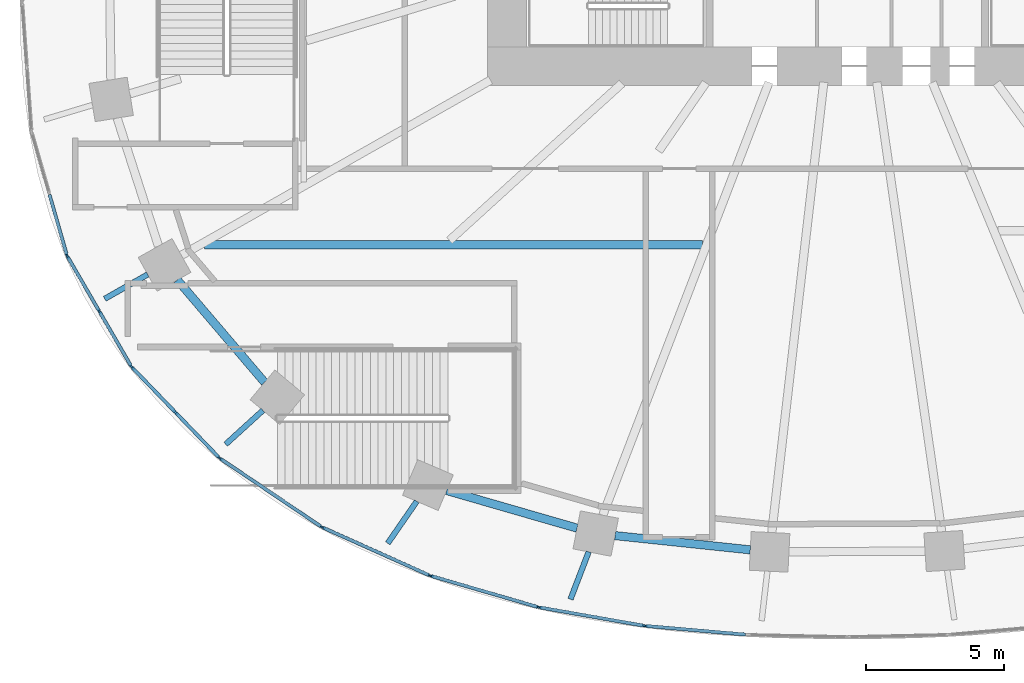
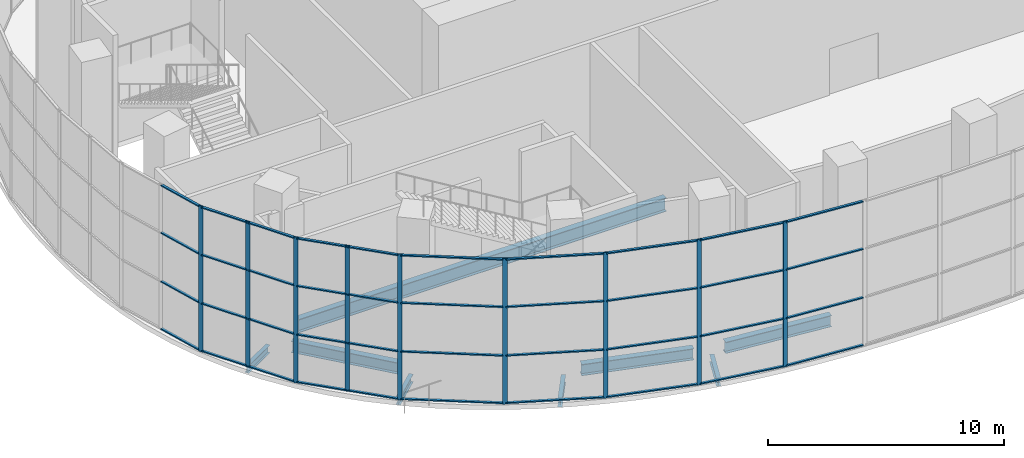
# One storey, part 2 of 22: 49 members, 8 beams, 8 elements without a shape of their own.
"""IFC4 building model written with IfcOpenShell, lengths in metres."""

import ifcopenshell
import ifcopenshell.guid

model = None  # the IFC model being written
_history = None  # IfcOwnerHistory: only IFC2X3 demands one
_inside = {}  # id of a spatial element -> (the spatial element, [elements in it])
_under = {}  # id of a project, library or spatial element -> (it, [spatial elements below it])
_declared = {}  # id of a project -> (the project, [libraries it declares])
_typed = {}  # id of a type object -> (the type object, [elements of that type])
_made_of = {}  # id of a material, layer set ... -> (it, [elements and type objects made of it])


def new_model(schema):
    """Start an empty IFC model of exactly this schema.

    Asked for "IFC4X3", IfcOpenShell would pick the latest addendum, in which some entities
    have other attributes; the version numbers below select the first issue.
    IFC2X3 requires an IfcOwnerHistory on every rooted entity: one is made here for all.
    """
    global model, _history
    if schema == "IFC4X3":
        model = ifcopenshell.file(schema_version=(4, 3, 0, 0))
    else:
        model = ifcopenshell.file(schema=schema)
    _inside.clear()
    _under.clear()
    _declared.clear()
    _typed.clear()
    _made_of.clear()
    _history = None
    if model.schema == "IFC2X3":
        org = make("IfcOrganization", Name="unknown")
        user = make(
            "IfcPersonAndOrganization",
            ThePerson=make("IfcPerson", FamilyName="unknown"),
            TheOrganization=org,
        )
        app = make(
            "IfcApplication",
            ApplicationDeveloper=org,
            Version="unknown",
            ApplicationFullName="unknown",
            ApplicationIdentifier="unknown",
        )
        _history = make(
            "IfcOwnerHistory",
            OwningUser=user,
            OwningApplication=app,
            ChangeAction="ADDED",
            CreationDate=0,
        )
    return model


def make(cls, **values):
    """One entity of the class cls with the attributes given. An attribute that is None is left unset."""
    return model.create_entity(
        cls, **{name: value for name, value in values.items() if value is not None}
    )


def rooted(cls, **values):
    """An entity with a GlobalId (a new one), such as an element, a storey or a relation."""
    return make(cls, GlobalId=ifcopenshell.guid.new(), OwnerHistory=_history, **values)


def si_unit(unit_type, name, prefix=None):
    """IfcSIUnit, for example si_unit("LENGTHUNIT", "METRE", prefix="MILLI")."""
    return make("IfcSIUnit", UnitType=unit_type, Prefix=prefix, Name=name)


def assignment(units):
    """IfcUnitAssignment: the units of a project."""
    return None if units is None else make("IfcUnitAssignment", Units=units)


def point(xyz):
    """IfcCartesianPoint."""
    return None if xyz is None else make("IfcCartesianPoint", Coordinates=xyz)


def direction(xyz):
    """IfcDirection."""
    return None if xyz is None else make("IfcDirection", DirectionRatios=xyz)


def frame(location, z_axis=None, x_axis=None):
    """IfcAxis2Placement3D, a coordinate frame: its origin and axes. An axis left out is left unset."""
    return make(
        "IfcAxis2Placement3D",
        Location=point(location),
        Axis=direction(z_axis),
        RefDirection=direction(x_axis),
    )


def frame_2d(location, x_axis=None):
    """IfcAxis2Placement2D, a coordinate frame in the plane: its origin and x axis."""
    return make(
        "IfcAxis2Placement2D", Location=point(location), RefDirection=direction(x_axis)
    )


def origin():
    """The frame at (0, 0, 0) with its axes left unset."""
    return frame((0.0, 0.0, 0.0))


def origin_2d():
    """The frame at (0, 0) in the plane with its x axis left unset."""
    return frame_2d((0.0, 0.0))


def place(relative_to, where):
    """IfcLocalPlacement: puts the frame where relative to a parent placement (None: the world)."""
    return make(
        "IfcLocalPlacement", PlacementRelTo=relative_to, RelativePlacement=where
    )


def context(
    kind, dimensions, precision=None, world=None, true_north=None, identifier=None
):
    """IfcGeometricRepresentationContext, for example the 3D "Model" context."""
    return make(
        "IfcGeometricRepresentationContext",
        ContextIdentifier=identifier,
        ContextType=kind,
        CoordinateSpaceDimension=dimensions,
        Precision=precision,
        WorldCoordinateSystem=world,
        TrueNorth=true_north,
    )


def subcontext(parent, identifier, kind, view, scale=None):
    """IfcGeometricRepresentationSubContext, for example "Body" below "Model"."""
    return make(
        "IfcGeometricRepresentationSubContext",
        ContextIdentifier=identifier,
        ContextType=kind,
        ParentContext=parent,
        TargetScale=scale,
        TargetView=view,
    )


def project(units=None, contexts=None):
    """IfcProject with its units and contexts."""
    return rooted(
        "IfcProject",
        Name="project",
        RepresentationContexts=contexts,
        UnitsInContext=assignment(units),
    )


def spatial(cls, under=None, at=None, **own):
    """A site, building, storey or space (cls), placed at a placement, below another one or the project."""
    s = rooted(cls, ObjectPlacement=at, **own)
    if under is not None:
        _under.setdefault(under.id(), (under, []))[1].append(s)
    return s


def profile(cls, at=None, kind="AREA", **sizes):
    """A parametric profile (cls). Its sizes go by their IFC names, for example OverallWidth=200.0."""
    return make(cls, ProfileType=kind, Position=at, **sizes)


def rectangle(**sizes):
    """IfcRectangleProfileDef."""
    return profile("IfcRectangleProfileDef", **sizes)


def i_section(**sizes):
    """IfcIShapeProfileDef."""
    return profile("IfcIShapeProfileDef", **sizes)


def extrude(swept, where, along, depth):
    """IfcExtrudedAreaSolid: the profile swept, set in the frame where, extruded along a direction by depth."""
    return make(
        "IfcExtrudedAreaSolid",
        SweptArea=swept,
        Position=where,
        ExtrudedDirection=direction(along),
        Depth=depth,
    )


def shape(context_of_items, identifier, shape_type, items):
    """IfcShapeRepresentation: the items that make up one representation, for example the "Body"."""
    return make(
        "IfcShapeRepresentation",
        ContextOfItems=context_of_items,
        RepresentationIdentifier=identifier,
        RepresentationType=shape_type,
        Items=items,
    )


def material(Name=None, Category=None):
    """IfcMaterial."""
    return make("IfcMaterial", Name=Name, Category=Category)


def material_profile(
    of_material, cross_section, Name=None, Category=None, Priority=None
):
    """IfcMaterialProfile: a cross section and its material."""
    return make(
        "IfcMaterialProfile",
        Name=Name,
        Material=of_material,
        Profile=cross_section,
        Priority=Priority,
        Category=Category,
    )


def profile_set(profiles, Name=None, composite=None):
    """IfcMaterialProfileSet."""
    return make(
        "IfcMaterialProfileSet",
        Name=Name,
        MaterialProfiles=profiles,
        CompositeProfile=composite,
    )


def made_of(thing, what):
    """Note that an element or type object is made of a material, layer set ...; save() writes the relation."""
    if what is not None:
        _made_of.setdefault(what.id(), (what, []))[1].append(thing)
    return thing


def type_object(cls, material=None, **own):
    """A type object (cls), such as IfcWallType, which elements share."""
    return made_of(rooted(cls, **own), material)


def element(
    cls,
    number,
    at=None,
    inside=None,
    cuts=None,
    type_object=None,
    material=None,
    context=None,
    identifier="Body",
    shape_type=None,
    held_by="IfcProductDefinitionShape",
    body=None,
    shapes=None,
    **own,
):
    """One element of the class cls, such as IfcWall. Its Tag is "e" and its number.

    at: its placement. inside: the storey or other place that contains it. cuts: it is an
    opening in that element (IfcRelVoidsElement). A single representation is given by context,
    identifier, shape_type and body (its items); several are given by shapes. held_by: the class
    of the entity that holds the representations. save() writes the other relations.
    """
    e = rooted(cls, Tag="e%d" % number, ObjectPlacement=at, **own)
    if body is not None:
        shapes = [shape(context, identifier, shape_type, body)]
    if shapes is not None:
        e.Representation = make(held_by, Representations=shapes)
    if inside is not None:
        _inside.setdefault(inside.id(), (inside, []))[1].append(e)
    if cuts is not None:
        rooted(
            "IfcRelVoidsElement", RelatingBuildingElement=cuts, RelatedOpeningElement=e
        )
    if type_object is not None:
        _typed.setdefault(type_object.id(), (type_object, []))[1].append(e)
    return made_of(e, material)


def aggregate(whole, parts):
    """IfcRelAggregates: a whole, such as a stair, and the parts it consists of."""
    return rooted("IfcRelAggregates", RelatingObject=whole, RelatedObjects=parts)


def save(model, path):
    """Write the relations noted so far, then the file.

    IfcRelAggregates (storeys below a building ...), IfcRelContainedInSpatialStructure (elements
    in a storey), IfcRelDefinesByType, IfcRelAssociatesMaterial and IfcRelDeclares: one each for
    every whole, place, type object, material and project.
    """
    for whole, parts in _under.values():
        aggregate(whole, parts)
    for where, things in _inside.values():
        rooted(
            "IfcRelContainedInSpatialStructure",
            RelatedElements=things,
            RelatingStructure=where,
        )
    for kind, things in _typed.values():
        rooted("IfcRelDefinesByType", RelatedObjects=things, RelatingType=kind)
    for what, things in _made_of.values():
        rooted("IfcRelAssociatesMaterial", RelatedObjects=things, RelatingMaterial=what)
    for by, libraries in _declared.values():
        rooted("IfcRelDeclares", RelatingContext=by, RelatedDefinitions=libraries)
    model.write(path)


model = new_model("IFC4")

# Units and contexts
model_context = context("Model", 3, precision=1e-05, world=origin(), true_north=direction((0.0, 1.0)))
body_context = subcontext(model_context, "Body", "Model", "MODEL_VIEW")
ifc_project = project(units=[si_unit("LENGTHUNIT", "METRE"), si_unit("AREAUNIT", "SQUARE_METRE"), si_unit("VOLUMEUNIT", "CUBIC_METRE"), si_unit("PLANEANGLEUNIT", "RADIAN"), si_unit("MASSUNIT", "GRAM", prefix="KILO")], contexts=[model_context])

# Site, building, storey
site_placement = place(None, origin())
site = spatial("IfcSite", under=ifc_project, at=site_placement, CompositionType="ELEMENT")
building_placement = place(site_placement, origin())
building = spatial("IfcBuilding", under=site, at=building_placement, Name="Rubra Terraces Tower", CompositionType="ELEMENT")
storey_placement = place(building_placement, frame((0.0, 0.0, 7.199951171875)))
storey = spatial("IfcBuildingStorey", under=building, at=storey_placement, Name="L01", CompositionType="ELEMENT", Elevation=7.199951171875)

# Beams
ifc_material_1 = material(Name="Steel Q355B", Category="steel")
ifc_material_profile_1 = material_profile(ifc_material_1, i_section(OverallWidth=0.199951171875, OverallDepth=0.39990234375, WebThickness=0.008056640625, FlangeThickness=0.012939453125, at=origin_2d()), Name="HN 400x200x8x13")
ifc_profile_set_1 = profile_set([ifc_material_profile_1], Name="Steel Q355B")
beam_type_1 = type_object("IfcBeamType", Name="CANTILEVER BEAM HN 400x200x8x13", PredefinedType="BEAM", material=ifc_profile_set_1)
beam_1_placement = place(storey_placement, frame((-25.284912109375, -9.827880859375, -0.449951171875), z_axis=(-0.86992838688, -0.493178062873, 0.0), x_axis=(0.493178062873, -0.86992838688, 0.0)))
element("IfcBeam", 1, at=beam_1_placement, inside=storey, type_object=beam_type_1, Name="beam-L01-cant-14", PredefinedType="BEAM", context=body_context, shape_type="SweptSolid", body=[
    extrude(i_section(OverallWidth=0.199951171875, OverallDepth=0.39990234375, WebThickness=0.008056640625, FlangeThickness=0.012939453125, at=origin_2d()), origin(), (0.0, 0.0, 1.0), 1.78662109375),
])
beam_2_placement = place(storey_placement, frame((-21.1220703125, -14.741943359375, -0.449951171875), z_axis=(-0.739575224106, -0.673073909677, 0.0), x_axis=(0.673073909677, -0.739575224106, 0.0)))
element("IfcBeam", 2, at=beam_2_placement, inside=storey, type_object=beam_type_1, Name="beam-L01-cant-15", PredefinedType="BEAM", context=body_context, shape_type="SweptSolid", body=[
    extrude(i_section(OverallWidth=0.199951171875, OverallDepth=0.39990234375, WebThickness=0.008056640625, FlangeThickness=0.012939453125, at=origin_2d()), origin(), (0.0, 0.0, 1.0), 1.817138671875),
])
beam_3_placement = place(storey_placement, frame((-15.56298828125, -18.029052734375, -0.449951171875), z_axis=(-0.568402477444, -0.822750644871, 0.0), x_axis=(0.822750644871, -0.568402477444, 0.0)))
element("IfcBeam", 3, at=beam_3_placement, inside=storey, type_object=beam_type_1, Name="beam-L01-cant-16", PredefinedType="BEAM", context=body_context, shape_type="SweptSolid", body=[
    extrude(i_section(OverallWidth=0.199951171875, OverallDepth=0.39990234375, WebThickness=0.008056640625, FlangeThickness=0.012939453125, at=origin_2d()), origin(), (0.0, 0.0, 1.0), 1.840087890625),
])
beam_4_placement = place(storey_placement, frame((-9.34912109375, -19.85498046875, -0.449951171875), z_axis=(-0.358291983639, -0.93360958353, 0.0), x_axis=(0.93360958353, -0.358291983639, 0.0)))
element("IfcBeam", 4, at=beam_4_placement, inside=storey, type_object=beam_type_1, Name="beam-L01-cant-17", PredefinedType="BEAM", context=body_context, shape_type="SweptSolid", body=[
    extrude(i_section(OverallWidth=0.199951171875, OverallDepth=0.39990234375, WebThickness=0.008056640625, FlangeThickness=0.012939453125, at=origin_2d()), origin(), (0.0, 0.0, 1.0), 1.833740234375),
])

# Curtain wall, members
ifc_material_2 = material(Name="Aluminium and glass", Category="aluminium")
curtain_wall_type = type_object("IfcCurtainWallType", Name="Curtain wall Podium glazing", PredefinedType="NOTDEFINED", material=ifc_material_2)
curtain_wall_1_placement = place(storey_placement, origin())
curtain_wall_1 = element("IfcCurtainWall", 5, at=curtain_wall_1_placement, inside=storey, type_object=curtain_wall_type, Name="L01 glazing bay 23", PredefinedType="NOTDEFINED")
ifc_material_3 = material(Name="Aluminium, anodised dark grey", Category="aluminium")
ifc_material_profile_2 = material_profile(ifc_material_3, rectangle(XDim=0.06005859375, YDim=0.199951171875, at=origin_2d()), Name="AL 60x200")
ifc_profile_set_2 = profile_set([ifc_material_profile_2], Name="Aluminium, anodised dark grey")
member_type_1 = type_object("IfcMemberType", Name="Podium glazing mullion 60 x 200", PredefinedType="MULLION", material=ifc_profile_set_2)
member_1_placement = place(storey_placement, frame((-28.18798828125, -9.17333984375, 0.0), z_axis=(0.0, 0.0, 1.0), x_axis=(0.864813011398, 0.502094070187, 0.0)))
member_1 = element("IfcMember", 6, at=member_1_placement, type_object=member_type_1, Name="CW1 mullion 1", PredefinedType="MULLION", context=body_context, shape_type="SweptSolid", body=[
    extrude(rectangle(XDim=0.06005859375, YDim=0.199951171875, at=origin_2d()), origin(), (0.0, 0.0, 1.0), 7.550048828125),
])
member_2_placement = place(storey_placement, frame((-27.0341796875, -11.160888671875, 0.0), z_axis=(0.0, 0.0, 1.0), x_axis=(0.864813011398, 0.502094070187, 0.0)))
member_2 = element("IfcMember", 7, at=member_2_placement, type_object=member_type_1, Name="CW1 mullion 2", PredefinedType="MULLION", context=body_context, shape_type="SweptSolid", body=[
    extrude(rectangle(XDim=0.06005859375, YDim=0.199951171875, at=origin_2d()), origin(), (0.0, 0.0, 1.0), 7.550048828125),
])

curtain_wall_2_placement = place(storey_placement, origin())
curtain_wall_2 = element("IfcCurtainWall", 8, at=curtain_wall_2_placement, inside=storey, type_object=curtain_wall_type, Name="L01 glazing bay 24", PredefinedType="NOTDEFINED")
member_3_placement = place(storey_placement, frame((-25.855224609375, -13.181396484375, 0.0), z_axis=(0.0, 0.0, 1.0), x_axis=(0.71982488517, 0.69415569917, 0.0)))
member_3 = element("IfcMember", 9, at=member_3_placement, type_object=member_type_1, Name="CW1 mullion 1", PredefinedType="MULLION", context=body_context, shape_type="SweptSolid", body=[
    extrude(rectangle(XDim=0.06005859375, YDim=0.199951171875, at=origin_2d()), origin(), (0.0, 0.0, 1.0), 7.550048828125),
])
member_4_placement = place(storey_placement, frame((-24.280517578125, -14.814453125, 0.0), z_axis=(0.0, 0.0, 1.0), x_axis=(0.71982488517, 0.69415569917, 0.0)))
member_4 = element("IfcMember", 10, at=member_4_placement, type_object=member_type_1, Name="CW1 mullion 2", PredefinedType="MULLION", context=body_context, shape_type="SweptSolid", body=[
    extrude(rectangle(XDim=0.06005859375, YDim=0.199951171875, at=origin_2d()), origin(), (0.0, 0.0, 1.0), 7.550048828125),
])

# Curtain wall, member
curtain_wall_3_placement = place(storey_placement, origin())
curtain_wall_3 = element("IfcCurtainWall", 11, at=curtain_wall_3_placement, inside=storey, type_object=curtain_wall_type, Name="L01 glazing bay 25", PredefinedType="NOTDEFINED")
member_5_placement = place(storey_placement, frame((-22.672119140625, -16.4755859375, 0.0), z_axis=(0.0, 0.0, 1.0), x_axis=(0.55927727939, 0.828980654031, 0.0)))
member_5 = element("IfcMember", 12, at=member_5_placement, type_object=member_type_1, Name="CW1 mullion 1", PredefinedType="MULLION", context=body_context, shape_type="SweptSolid", body=[
    extrude(rectangle(XDim=0.06005859375, YDim=0.199951171875, at=origin_2d()), origin(), (0.0, 0.0, 1.0), 7.550048828125),
])

curtain_wall_4_placement = place(storey_placement, origin())
curtain_wall_4 = element("IfcCurtainWall", 13, at=curtain_wall_4_placement, inside=storey, type_object=curtain_wall_type, Name="L01 glazing bay 26", PredefinedType="NOTDEFINED")
member_6_placement = place(storey_placement, frame((-18.968017578125, -18.969970703125, 0.0), z_axis=(0.0, 0.0, 1.0), x_axis=(0.4089624427, 0.912551215254, 0.0)))
member_6 = element("IfcMember", 14, at=member_6_placement, type_object=member_type_1, Name="CW1 mullion 1", PredefinedType="MULLION", context=body_context, shape_type="SweptSolid", body=[
    extrude(rectangle(XDim=0.06005859375, YDim=0.199951171875, at=origin_2d()), origin(), (0.0, 0.0, 1.0), 7.550048828125),
])

curtain_wall_5_placement = place(storey_placement, origin())
curtain_wall_5 = element("IfcCurtainWall", 15, at=curtain_wall_5_placement, inside=storey, type_object=curtain_wall_type, Name="L01 glazing bay 27", PredefinedType="NOTDEFINED")
member_7_placement = place(storey_placement, frame((-15.05126953125, -20.721435546875, 0.0), z_axis=(0.0, 0.0, 1.0), x_axis=(0.279399200229, 0.96017502931, 0.0)))
member_7 = element("IfcMember", 16, at=member_7_placement, type_object=member_type_1, Name="CW1 mullion 1", PredefinedType="MULLION", context=body_context, shape_type="SweptSolid", body=[
    extrude(rectangle(XDim=0.06005859375, YDim=0.199951171875, at=origin_2d()), origin(), (0.0, 0.0, 1.0), 7.550048828125),
])

curtain_wall_6_placement = place(storey_placement, origin())
curtain_wall_6 = element("IfcCurtainWall", 17, at=curtain_wall_6_placement, inside=storey, type_object=curtain_wall_type, Name="L01 glazing bay 28", PredefinedType="NOTDEFINED")
member_8_placement = place(storey_placement, frame((-11.13037109375, -21.859375, 0.0), z_axis=(0.0, 0.0, 1.0), x_axis=(0.172816985997, 0.984953952909, 0.0)))
member_8 = element("IfcMember", 18, at=member_8_placement, type_object=member_type_1, Name="CW1 mullion 1", PredefinedType="MULLION", context=body_context, shape_type="SweptSolid", body=[
    extrude(rectangle(XDim=0.06005859375, YDim=0.199951171875, at=origin_2d()), origin(), (0.0, 0.0, 1.0), 7.550048828125),
])

curtain_wall_7_placement = place(storey_placement, origin())
curtain_wall_7 = element("IfcCurtainWall", 19, at=curtain_wall_7_placement, inside=storey, type_object=curtain_wall_type, Name="L01 glazing bay 29", PredefinedType="NOTDEFINED")
member_9_placement = place(storey_placement, frame((-7.306640625, -22.52783203125, 0.0), z_axis=(0.0, 0.0, 1.0), x_axis=(0.08639804595, 0.996260697637, 0.0)))
member_9 = element("IfcMember", 20, at=member_9_placement, type_object=member_type_1, Name="CW1 mullion 1", PredefinedType="MULLION", context=body_context, shape_type="SweptSolid", body=[
    extrude(rectangle(XDim=0.06005859375, YDim=0.199951171875, at=origin_2d()), origin(), (0.0, 0.0, 1.0), 7.550048828125),
])

# Curtain wall, members
curtain_wall_8_placement = place(storey_placement, origin())
curtain_wall_8 = element("IfcCurtainWall", 21, at=curtain_wall_8_placement, inside=storey, type_object=curtain_wall_type, Name="L01 glazing bay 22", PredefinedType="NOTDEFINED")
ifc_material_profile_3 = material_profile(ifc_material_3, rectangle(XDim=0.1201171875, YDim=0.06005859375, at=origin_2d()), Name="AL 120x60")
ifc_profile_set_3 = profile_set([ifc_material_profile_3], Name="Aluminium, anodised dark grey")
member_type_2 = type_object("IfcMemberType", Name="Podium glazing transom 120 x 60", PredefinedType="USERDEFINED", material=ifc_profile_set_3)
member_10_placement = place(storey_placement, frame((-28.835205078125, -6.941650390625, 0.06005859375), z_axis=(0.276452561882, -0.961027565177, 0.0), x_axis=(0.961027565177, 0.276452561882, 0.0)))
member_10 = element("IfcMember", 22, at=member_10_placement, type_object=member_type_2, Name="CW1 transom 2.1", ObjectType="TRANSOM", PredefinedType="USERDEFINED", context=body_context, shape_type="SweptSolid", body=[
    extrude(rectangle(XDim=0.1201171875, YDim=0.06005859375, at=origin_2d()), origin(), (0.0, 0.0, 1.0), 2.2529296875),
])
member_11_placement = place(storey_placement, frame((-28.835205078125, -6.941650390625, 2.516845703125), z_axis=(0.276452561882, -0.961027565177, 0.0), x_axis=(0.961027565177, 0.276452561882, 0.0)))
member_11 = element("IfcMember", 23, at=member_11_placement, type_object=member_type_2, Name="CW1 transom 2.2", ObjectType="TRANSOM", PredefinedType="USERDEFINED", context=body_context, shape_type="SweptSolid", body=[
    extrude(rectangle(XDim=0.1201171875, YDim=0.06005859375, at=origin_2d()), origin(), (0.0, 0.0, 1.0), 2.2529296875),
])
member_12_placement = place(storey_placement, frame((-28.835205078125, -6.941650390625, 5.033447265625), z_axis=(0.276452561882, -0.961027565177, 0.0), x_axis=(0.961027565177, 0.276452561882, 0.0)))
member_12 = element("IfcMember", 24, at=member_12_placement, type_object=member_type_2, Name="CW1 transom 2.3", ObjectType="TRANSOM", PredefinedType="USERDEFINED", context=body_context, shape_type="SweptSolid", body=[
    extrude(rectangle(XDim=0.1201171875, YDim=0.06005859375, at=origin_2d()), origin(), (0.0, 0.0, 1.0), 2.2529296875),
])
member_13_placement = place(storey_placement, frame((-28.835205078125, -6.941650390625, 7.489990234375), z_axis=(0.276452561882, -0.961027565177, 0.0), x_axis=(0.961027565177, 0.276452561882, 0.0)))
member_13 = element("IfcMember", 25, at=member_13_placement, type_object=member_type_2, Name="CW1 transom 2.4", ObjectType="TRANSOM", PredefinedType="USERDEFINED", context=body_context, shape_type="SweptSolid", body=[
    extrude(rectangle(XDim=0.1201171875, YDim=0.06005859375, at=origin_2d()), origin(), (0.0, 0.0, 1.0), 2.2529296875),
])
aggregate(curtain_wall_8, [member_10, member_11, member_12, member_13])

# Member
member_14_placement = place(storey_placement, frame((-28.173095703125, -9.19921875, 0.06005859375), z_axis=(0.5021881448, -0.864758386616, 0.0), x_axis=(0.864758386616, 0.5021881448, 0.0)))
member_14 = element("IfcMember", 26, at=member_14_placement, type_object=member_type_2, Name="CW1 transom 1.1", ObjectType="TRANSOM", PredefinedType="USERDEFINED", context=body_context, shape_type="SweptSolid", body=[
    extrude(rectangle(XDim=0.1201171875, YDim=0.06005859375, at=origin_2d()), origin(), (0.0, 0.0, 1.0), 2.23828125),
])

member_15_placement = place(storey_placement, frame((-28.173095703125, -9.19921875, 2.516845703125), z_axis=(0.5021881448, -0.864758386616, 0.0), x_axis=(0.864758386616, 0.5021881448, 0.0)))
member_15 = element("IfcMember", 27, at=member_15_placement, type_object=member_type_2, Name="CW1 transom 1.2", ObjectType="TRANSOM", PredefinedType="USERDEFINED", context=body_context, shape_type="SweptSolid", body=[
    extrude(rectangle(XDim=0.1201171875, YDim=0.06005859375, at=origin_2d()), origin(), (0.0, 0.0, 1.0), 2.23828125),
])

member_16_placement = place(storey_placement, frame((-28.173095703125, -9.19921875, 5.033447265625), z_axis=(0.5021881448, -0.864758386616, 0.0), x_axis=(0.864758386616, 0.5021881448, 0.0)))
member_16 = element("IfcMember", 28, at=member_16_placement, type_object=member_type_2, Name="CW1 transom 1.3", ObjectType="TRANSOM", PredefinedType="USERDEFINED", context=body_context, shape_type="SweptSolid", body=[
    extrude(rectangle(XDim=0.1201171875, YDim=0.06005859375, at=origin_2d()), origin(), (0.0, 0.0, 1.0), 2.23828125),
])

member_17_placement = place(storey_placement, frame((-28.173095703125, -9.19921875, 7.489990234375), z_axis=(0.5021881448, -0.864758386616, 0.0), x_axis=(0.864758386616, 0.5021881448, 0.0)))
member_17 = element("IfcMember", 29, at=member_17_placement, type_object=member_type_2, Name="CW1 transom 1.4", ObjectType="TRANSOM", PredefinedType="USERDEFINED", context=body_context, shape_type="SweptSolid", body=[
    extrude(rectangle(XDim=0.1201171875, YDim=0.06005859375, at=origin_2d()), origin(), (0.0, 0.0, 1.0), 2.23828125),
])

member_18_placement = place(storey_placement, frame((-27.01904296875, -11.186767578125, 0.06005859375), z_axis=(0.502106569931, -0.864805754162, 0.0), x_axis=(0.864805754162, 0.502106569931, 0.0)))
member_18 = element("IfcMember", 30, at=member_18_placement, type_object=member_type_2, Name="CW1 transom 2.1", ObjectType="TRANSOM", PredefinedType="USERDEFINED", context=body_context, shape_type="SweptSolid", body=[
    extrude(rectangle(XDim=0.1201171875, YDim=0.06005859375, at=origin_2d()), origin(), (0.0, 0.0, 1.0), 2.238037109375),
])

member_19_placement = place(storey_placement, frame((-27.01904296875, -11.186767578125, 2.516845703125), z_axis=(0.502106569931, -0.864805754162, 0.0), x_axis=(0.864805754162, 0.502106569931, 0.0)))
member_19 = element("IfcMember", 31, at=member_19_placement, type_object=member_type_2, Name="CW1 transom 2.2", ObjectType="TRANSOM", PredefinedType="USERDEFINED", context=body_context, shape_type="SweptSolid", body=[
    extrude(rectangle(XDim=0.1201171875, YDim=0.06005859375, at=origin_2d()), origin(), (0.0, 0.0, 1.0), 2.238037109375),
])

member_20_placement = place(storey_placement, frame((-27.01904296875, -11.186767578125, 5.033447265625), z_axis=(0.502106569931, -0.864805754162, 0.0), x_axis=(0.864805754162, 0.502106569931, 0.0)))
member_20 = element("IfcMember", 32, at=member_20_placement, type_object=member_type_2, Name="CW1 transom 2.3", ObjectType="TRANSOM", PredefinedType="USERDEFINED", context=body_context, shape_type="SweptSolid", body=[
    extrude(rectangle(XDim=0.1201171875, YDim=0.06005859375, at=origin_2d()), origin(), (0.0, 0.0, 1.0), 2.238037109375),
])

member_21_placement = place(storey_placement, frame((-27.01904296875, -11.186767578125, 7.489990234375), z_axis=(0.502106569931, -0.864805754162, 0.0), x_axis=(0.864805754162, 0.502106569931, 0.0)))
member_21 = element("IfcMember", 33, at=member_21_placement, type_object=member_type_2, Name="CW1 transom 2.4", ObjectType="TRANSOM", PredefinedType="USERDEFINED", context=body_context, shape_type="SweptSolid", body=[
    extrude(rectangle(XDim=0.1201171875, YDim=0.06005859375, at=origin_2d()), origin(), (0.0, 0.0, 1.0), 2.238037109375),
])

aggregate(curtain_wall_1, [member_1, member_2, member_14, member_15, member_16, member_17, member_18, member_19, member_20, member_21])

member_22_placement = place(storey_placement, frame((-25.83447265625, -13.203125, 0.06005859375), z_axis=(0.694223533913, -0.719759463266, 0.0), x_axis=(0.719759463266, 0.694223533913, 0.0)))
member_22 = element("IfcMember", 34, at=member_22_placement, type_object=member_type_2, Name="CW1 transom 1.1", ObjectType="TRANSOM", PredefinedType="USERDEFINED", context=body_context, shape_type="SweptSolid", body=[
    extrude(rectangle(XDim=0.1201171875, YDim=0.06005859375, at=origin_2d()), origin(), (0.0, 0.0, 1.0), 2.20849609375),
])

member_23_placement = place(storey_placement, frame((-25.83447265625, -13.203125, 2.516845703125), z_axis=(0.694223533913, -0.719759463266, 0.0), x_axis=(0.719759463266, 0.694223533913, 0.0)))
member_23 = element("IfcMember", 35, at=member_23_placement, type_object=member_type_2, Name="CW1 transom 1.2", ObjectType="TRANSOM", PredefinedType="USERDEFINED", context=body_context, shape_type="SweptSolid", body=[
    extrude(rectangle(XDim=0.1201171875, YDim=0.06005859375, at=origin_2d()), origin(), (0.0, 0.0, 1.0), 2.20849609375),
])

member_24_placement = place(storey_placement, frame((-25.83447265625, -13.203125, 5.033447265625), z_axis=(0.694223533913, -0.719759463266, 0.0), x_axis=(0.719759463266, 0.694223533913, 0.0)))
member_24 = element("IfcMember", 36, at=member_24_placement, type_object=member_type_2, Name="CW1 transom 1.3", ObjectType="TRANSOM", PredefinedType="USERDEFINED", context=body_context, shape_type="SweptSolid", body=[
    extrude(rectangle(XDim=0.1201171875, YDim=0.06005859375, at=origin_2d()), origin(), (0.0, 0.0, 1.0), 2.20849609375),
])

member_25_placement = place(storey_placement, frame((-25.83447265625, -13.203125, 7.489990234375), z_axis=(0.694223533913, -0.719759463266, 0.0), x_axis=(0.719759463266, 0.694223533913, 0.0)))
member_25 = element("IfcMember", 37, at=member_25_placement, type_object=member_type_2, Name="CW1 transom 1.4", ObjectType="TRANSOM", PredefinedType="USERDEFINED", context=body_context, shape_type="SweptSolid", body=[
    extrude(rectangle(XDim=0.1201171875, YDim=0.06005859375, at=origin_2d()), origin(), (0.0, 0.0, 1.0), 2.20849609375),
])

member_26_placement = place(storey_placement, frame((-24.259765625, -14.8359375, 0.06005859375), z_axis=(0.694168299732, -0.719812733735, 0.0), x_axis=(0.719812733735, 0.694168299732, 0.0)))
member_26 = element("IfcMember", 38, at=member_26_placement, type_object=member_type_2, Name="CW1 transom 2.1", ObjectType="TRANSOM", PredefinedType="USERDEFINED", context=body_context, shape_type="SweptSolid", body=[
    extrude(rectangle(XDim=0.1201171875, YDim=0.06005859375, at=origin_2d()), origin(), (0.0, 0.0, 1.0), 2.208740234375),
])

member_27_placement = place(storey_placement, frame((-24.259765625, -14.8359375, 2.516845703125), z_axis=(0.694168299732, -0.719812733735, 0.0), x_axis=(0.719812733735, 0.694168299732, 0.0)))
member_27 = element("IfcMember", 39, at=member_27_placement, type_object=member_type_2, Name="CW1 transom 2.2", ObjectType="TRANSOM", PredefinedType="USERDEFINED", context=body_context, shape_type="SweptSolid", body=[
    extrude(rectangle(XDim=0.1201171875, YDim=0.06005859375, at=origin_2d()), origin(), (0.0, 0.0, 1.0), 2.208740234375),
])

member_28_placement = place(storey_placement, frame((-24.259765625, -14.8359375, 5.033447265625), z_axis=(0.694168299732, -0.719812733735, 0.0), x_axis=(0.719812733735, 0.694168299732, 0.0)))
member_28 = element("IfcMember", 40, at=member_28_placement, type_object=member_type_2, Name="CW1 transom 2.3", ObjectType="TRANSOM", PredefinedType="USERDEFINED", context=body_context, shape_type="SweptSolid", body=[
    extrude(rectangle(XDim=0.1201171875, YDim=0.06005859375, at=origin_2d()), origin(), (0.0, 0.0, 1.0), 2.208740234375),
])

member_29_placement = place(storey_placement, frame((-24.259765625, -14.8359375, 7.489990234375), z_axis=(0.694168299732, -0.719812733735, 0.0), x_axis=(0.719812733735, 0.694168299732, 0.0)))
member_29 = element("IfcMember", 41, at=member_29_placement, type_object=member_type_2, Name="CW1 transom 2.4", ObjectType="TRANSOM", PredefinedType="USERDEFINED", context=body_context, shape_type="SweptSolid", body=[
    extrude(rectangle(XDim=0.1201171875, YDim=0.06005859375, at=origin_2d()), origin(), (0.0, 0.0, 1.0), 2.208740234375),
])

aggregate(curtain_wall_2, [member_3, member_4, member_22, member_23, member_24, member_25, member_26, member_27, member_28, member_29])

member_30_placement = place(storey_placement, frame((-22.6474609375, -16.492431640625, 0.06005859375), z_axis=(0.828996039897, -0.559254473236, 0.0), x_axis=(0.559254473236, 0.828996039897, 0.0)))
member_30 = element("IfcMember", 42, at=member_30_placement, type_object=member_type_2, Name="CW1 transom 1.1", ObjectType="TRANSOM", PredefinedType="USERDEFINED", context=body_context, shape_type="SweptSolid", body=[
    extrude(rectangle(XDim=0.1201171875, YDim=0.06005859375, at=origin_2d()), origin(), (0.0, 0.0, 1.0), 4.35888671875),
])

member_31_placement = place(storey_placement, frame((-22.6474609375, -16.492431640625, 2.516845703125), z_axis=(0.828996039897, -0.559254473236, 0.0), x_axis=(0.559254473236, 0.828996039897, 0.0)))
member_31 = element("IfcMember", 43, at=member_31_placement, type_object=member_type_2, Name="CW1 transom 1.2", ObjectType="TRANSOM", PredefinedType="USERDEFINED", context=body_context, shape_type="SweptSolid", body=[
    extrude(rectangle(XDim=0.1201171875, YDim=0.06005859375, at=origin_2d()), origin(), (0.0, 0.0, 1.0), 4.35888671875),
])

member_32_placement = place(storey_placement, frame((-22.6474609375, -16.492431640625, 5.033447265625), z_axis=(0.828996039897, -0.559254473236, 0.0), x_axis=(0.559254473236, 0.828996039897, 0.0)))
member_32 = element("IfcMember", 44, at=member_32_placement, type_object=member_type_2, Name="CW1 transom 1.3", ObjectType="TRANSOM", PredefinedType="USERDEFINED", context=body_context, shape_type="SweptSolid", body=[
    extrude(rectangle(XDim=0.1201171875, YDim=0.06005859375, at=origin_2d()), origin(), (0.0, 0.0, 1.0), 4.35888671875),
])

member_33_placement = place(storey_placement, frame((-22.6474609375, -16.492431640625, 7.489990234375), z_axis=(0.828996039897, -0.559254473236, 0.0), x_axis=(0.559254473236, 0.828996039897, 0.0)))
member_33 = element("IfcMember", 45, at=member_33_placement, type_object=member_type_2, Name="CW1 transom 1.4", ObjectType="TRANSOM", PredefinedType="USERDEFINED", context=body_context, shape_type="SweptSolid", body=[
    extrude(rectangle(XDim=0.1201171875, YDim=0.06005859375, at=origin_2d()), origin(), (0.0, 0.0, 1.0), 4.35888671875),
])

aggregate(curtain_wall_3, [member_5, member_30, member_31, member_32, member_33])

member_34_placement = place(storey_placement, frame((-18.9404296875, -18.982177734375, 0.06005859375), z_axis=(0.912545396627, -0.408975426029, 0.0), x_axis=(0.408975426029, 0.912545396627, 0.0)))
member_34 = element("IfcMember", 46, at=member_34_placement, type_object=member_type_2, Name="CW1 transom 1.1", ObjectType="TRANSOM", PredefinedType="USERDEFINED", context=body_context, shape_type="SweptSolid", body=[
    extrude(rectangle(XDim=0.1201171875, YDim=0.06005859375, at=origin_2d()), origin(), (0.0, 0.0, 1.0), 4.18115234375),
])

member_35_placement = place(storey_placement, frame((-18.9404296875, -18.982177734375, 2.516845703125), z_axis=(0.912545396627, -0.408975426029, 0.0), x_axis=(0.408975426029, 0.912545396627, 0.0)))
member_35 = element("IfcMember", 47, at=member_35_placement, type_object=member_type_2, Name="CW1 transom 1.2", ObjectType="TRANSOM", PredefinedType="USERDEFINED", context=body_context, shape_type="SweptSolid", body=[
    extrude(rectangle(XDim=0.1201171875, YDim=0.06005859375, at=origin_2d()), origin(), (0.0, 0.0, 1.0), 4.18115234375),
])

member_36_placement = place(storey_placement, frame((-18.9404296875, -18.982177734375, 5.033447265625), z_axis=(0.912545396627, -0.408975426029, 0.0), x_axis=(0.408975426029, 0.912545396627, 0.0)))
member_36 = element("IfcMember", 48, at=member_36_placement, type_object=member_type_2, Name="CW1 transom 1.3", ObjectType="TRANSOM", PredefinedType="USERDEFINED", context=body_context, shape_type="SweptSolid", body=[
    extrude(rectangle(XDim=0.1201171875, YDim=0.06005859375, at=origin_2d()), origin(), (0.0, 0.0, 1.0), 4.18115234375),
])

member_37_placement = place(storey_placement, frame((-18.9404296875, -18.982177734375, 7.489990234375), z_axis=(0.912545396627, -0.408975426029, 0.0), x_axis=(0.408975426029, 0.912545396627, 0.0)))
member_37 = element("IfcMember", 49, at=member_37_placement, type_object=member_type_2, Name="CW1 transom 1.4", ObjectType="TRANSOM", PredefinedType="USERDEFINED", context=body_context, shape_type="SweptSolid", body=[
    extrude(rectangle(XDim=0.1201171875, YDim=0.06005859375, at=origin_2d()), origin(), (0.0, 0.0, 1.0), 4.18115234375),
])

aggregate(curtain_wall_4, [member_6, member_34, member_35, member_36, member_37])

member_38_placement = place(storey_placement, frame((-15.0224609375, -20.729736328125, 0.06005859375), z_axis=(0.960164409194, -0.279435694422, 0.0), x_axis=(0.279435694422, 0.960164409194, 0.0)))
member_38 = element("IfcMember", 50, at=member_38_placement, type_object=member_type_2, Name="CW1 transom 1.1", ObjectType="TRANSOM", PredefinedType="USERDEFINED", context=body_context, shape_type="SweptSolid", body=[
    extrude(rectangle(XDim=0.1201171875, YDim=0.06005859375, at=origin_2d()), origin(), (0.0, 0.0, 1.0), 3.970947265625),
])

member_39_placement = place(storey_placement, frame((-15.0224609375, -20.729736328125, 2.516845703125), z_axis=(0.960164409194, -0.279435694422, 0.0), x_axis=(0.279435694422, 0.960164409194, 0.0)))
member_39 = element("IfcMember", 51, at=member_39_placement, type_object=member_type_2, Name="CW1 transom 1.2", ObjectType="TRANSOM", PredefinedType="USERDEFINED", context=body_context, shape_type="SweptSolid", body=[
    extrude(rectangle(XDim=0.1201171875, YDim=0.06005859375, at=origin_2d()), origin(), (0.0, 0.0, 1.0), 3.970947265625),
])

member_40_placement = place(storey_placement, frame((-15.0224609375, -20.729736328125, 5.033447265625), z_axis=(0.960164409194, -0.279435694422, 0.0), x_axis=(0.279435694422, 0.960164409194, 0.0)))
member_40 = element("IfcMember", 52, at=member_40_placement, type_object=member_type_2, Name="CW1 transom 1.3", ObjectType="TRANSOM", PredefinedType="USERDEFINED", context=body_context, shape_type="SweptSolid", body=[
    extrude(rectangle(XDim=0.1201171875, YDim=0.06005859375, at=origin_2d()), origin(), (0.0, 0.0, 1.0), 3.970947265625),
])

member_41_placement = place(storey_placement, frame((-15.0224609375, -20.729736328125, 7.489990234375), z_axis=(0.960164409194, -0.279435694422, 0.0), x_axis=(0.279435694422, 0.960164409194, 0.0)))
member_41 = element("IfcMember", 53, at=member_41_placement, type_object=member_type_2, Name="CW1 transom 1.4", ObjectType="TRANSOM", PredefinedType="USERDEFINED", context=body_context, shape_type="SweptSolid", body=[
    extrude(rectangle(XDim=0.1201171875, YDim=0.06005859375, at=origin_2d()), origin(), (0.0, 0.0, 1.0), 3.970947265625),
])

aggregate(curtain_wall_5, [member_7, member_38, member_39, member_40, member_41])

member_42_placement = place(storey_placement, frame((-11.100830078125, -21.864501953125, 0.06005859375), z_axis=(0.984959152546, -0.172787348539, 0.0), x_axis=(0.172787348539, 0.984959152546, 0.0)))
member_42 = element("IfcMember", 54, at=member_42_placement, type_object=member_type_2, Name="CW1 transom 1.1", ObjectType="TRANSOM", PredefinedType="USERDEFINED", context=body_context, shape_type="SweptSolid", body=[
    extrude(rectangle(XDim=0.1201171875, YDim=0.06005859375, at=origin_2d()), origin(), (0.0, 0.0, 1.0), 3.768310546875),
])

member_43_placement = place(storey_placement, frame((-11.100830078125, -21.864501953125, 2.516845703125), z_axis=(0.984959152546, -0.172787348539, 0.0), x_axis=(0.172787348539, 0.984959152546, 0.0)))
member_43 = element("IfcMember", 55, at=member_43_placement, type_object=member_type_2, Name="CW1 transom 1.2", ObjectType="TRANSOM", PredefinedType="USERDEFINED", context=body_context, shape_type="SweptSolid", body=[
    extrude(rectangle(XDim=0.1201171875, YDim=0.06005859375, at=origin_2d()), origin(), (0.0, 0.0, 1.0), 3.768310546875),
])

member_44_placement = place(storey_placement, frame((-11.100830078125, -21.864501953125, 5.033447265625), z_axis=(0.984959152546, -0.172787348539, 0.0), x_axis=(0.172787348539, 0.984959152546, 0.0)))
member_44 = element("IfcMember", 56, at=member_44_placement, type_object=member_type_2, Name="CW1 transom 1.3", ObjectType="TRANSOM", PredefinedType="USERDEFINED", context=body_context, shape_type="SweptSolid", body=[
    extrude(rectangle(XDim=0.1201171875, YDim=0.06005859375, at=origin_2d()), origin(), (0.0, 0.0, 1.0), 3.768310546875),
])

member_45_placement = place(storey_placement, frame((-11.100830078125, -21.864501953125, 7.489990234375), z_axis=(0.984959152546, -0.172787348539, 0.0), x_axis=(0.172787348539, 0.984959152546, 0.0)))
member_45 = element("IfcMember", 57, at=member_45_placement, type_object=member_type_2, Name="CW1 transom 1.4", ObjectType="TRANSOM", PredefinedType="USERDEFINED", context=body_context, shape_type="SweptSolid", body=[
    extrude(rectangle(XDim=0.1201171875, YDim=0.06005859375, at=origin_2d()), origin(), (0.0, 0.0, 1.0), 3.768310546875),
])

aggregate(curtain_wall_6, [member_8, member_42, member_43, member_44, member_45])

member_46_placement = place(storey_placement, frame((-7.276611328125, -22.530517578125, 0.06005859375), z_axis=(0.996262906738, -0.086372568895, 0.0), x_axis=(0.086372568895, 0.996262906738, 0.0)))
member_46 = element("IfcMember", 58, at=member_46_placement, type_object=member_type_2, Name="CW1 transom 1.1", ObjectType="TRANSOM", PredefinedType="USERDEFINED", context=body_context, shape_type="SweptSolid", body=[
    extrude(rectangle(XDim=0.1201171875, YDim=0.06005859375, at=origin_2d()), origin(), (0.0, 0.0, 1.0), 3.606689453125),
])

member_47_placement = place(storey_placement, frame((-7.276611328125, -22.530517578125, 2.516845703125), z_axis=(0.996262906738, -0.086372568895, 0.0), x_axis=(0.086372568895, 0.996262906738, 0.0)))
member_47 = element("IfcMember", 59, at=member_47_placement, type_object=member_type_2, Name="CW1 transom 1.2", ObjectType="TRANSOM", PredefinedType="USERDEFINED", context=body_context, shape_type="SweptSolid", body=[
    extrude(rectangle(XDim=0.1201171875, YDim=0.06005859375, at=origin_2d()), origin(), (0.0, 0.0, 1.0), 3.606689453125),
])

member_48_placement = place(storey_placement, frame((-7.276611328125, -22.530517578125, 5.033447265625), z_axis=(0.996262906738, -0.086372568895, 0.0), x_axis=(0.086372568895, 0.996262906738, 0.0)))
member_48 = element("IfcMember", 60, at=member_48_placement, type_object=member_type_2, Name="CW1 transom 1.3", ObjectType="TRANSOM", PredefinedType="USERDEFINED", context=body_context, shape_type="SweptSolid", body=[
    extrude(rectangle(XDim=0.1201171875, YDim=0.06005859375, at=origin_2d()), origin(), (0.0, 0.0, 1.0), 3.606689453125),
])

member_49_placement = place(storey_placement, frame((-7.276611328125, -22.530517578125, 7.489990234375), z_axis=(0.996262906738, -0.086372568895, 0.0), x_axis=(0.086372568895, 0.996262906738, 0.0)))
member_49 = element("IfcMember", 61, at=member_49_placement, type_object=member_type_2, Name="CW1 transom 1.4", ObjectType="TRANSOM", PredefinedType="USERDEFINED", context=body_context, shape_type="SweptSolid", body=[
    extrude(rectangle(XDim=0.1201171875, YDim=0.06005859375, at=origin_2d()), origin(), (0.0, 0.0, 1.0), 3.606689453125),
])

aggregate(curtain_wall_7, [member_9, member_46, member_47, member_48, member_49])

# Beams
ifc_material_profile_4 = material_profile(ifc_material_1, i_section(OverallWidth=0.300048828125, OverallDepth=0.587890625, WebThickness=0.011962890625, FlangeThickness=0.02001953125, at=origin_2d()), Name="HM 588x300x12x20")
ifc_profile_set_4 = profile_set([ifc_material_profile_4], Name="Steel Q355B")
beam_type_2 = type_object("IfcBeamType", Name="SPANDREL BEAM HM 588x300x12x20", PredefinedType="SPANDREL", material=ifc_profile_set_4)
beam_5_placement = place(storey_placement, frame((-24.212890625, -10.02587890625, -0.5439453125), z_axis=(0.648447050824, -0.761259760054, 0.0), x_axis=(0.761259760054, 0.648447050824, 0.0)))
element("IfcBeam", 62, at=beam_5_placement, inside=storey, type_object=beam_type_2, Name="beam-L01-spandrel-14", PredefinedType="SPANDREL", context=body_context, shape_type="SweptSolid", body=[
    extrude(i_section(OverallWidth=0.300048828125, OverallDepth=0.587890625, WebThickness=0.011962890625, FlangeThickness=0.02001953125, at=origin_2d()), origin(), (0.0, 0.0, 1.0), 4.860595703125),
])
beam_6_placement = place(storey_placement, frame((-14.47900390625, -17.636962890625, -0.5439453125), z_axis=(0.960743980202, -0.277436487337, 0.0), x_axis=(0.277436487337, 0.960743980202, 0.0)))
element("IfcBeam", 63, at=beam_6_placement, inside=storey, type_object=beam_type_2, Name="beam-L01-spandrel-16", PredefinedType="SPANDREL", context=body_context, shape_type="SweptSolid", body=[
    extrude(i_section(OverallWidth=0.300048828125, OverallDepth=0.587890625, WebThickness=0.011962890625, FlangeThickness=0.02001953125, at=origin_2d()), origin(), (0.0, 0.0, 1.0), 4.90234375),
])
beam_7_placement = place(storey_placement, frame((-8.39501953125, -19.26611328125, -0.5439453125), z_axis=(0.994495375694, -0.104780473964, 0.0), x_axis=(0.104780473964, 0.994495375694, 0.0)))
element("IfcBeam", 64, at=beam_7_placement, inside=storey, type_object=beam_type_2, Name="beam-L01-spandrel-17", PredefinedType="SPANDREL", context=body_context, shape_type="SweptSolid", body=[
    extrude(i_section(OverallWidth=0.300048828125, OverallDepth=0.587890625, WebThickness=0.011962890625, FlangeThickness=0.02001953125, at=origin_2d()), origin(), (0.0, 0.0, 1.0), 4.9140625),
])
ifc_material_profile_5 = material_profile(ifc_material_1, i_section(OverallWidth=0.300048828125, OverallDepth=0.699951171875, WebThickness=0.012939453125, FlangeThickness=0.02392578125, at=origin_2d()), Name="HN 700x300x13x24")
ifc_profile_set_5 = profile_set([ifc_material_profile_5], Name="Steel Q355B")
beam_type_3 = type_object("IfcBeamType", Name="TRIMMER BEAM HN 700x300x13x24", PredefinedType="BEAM", material=ifc_profile_set_5)
beam_8_placement = place(storey_placement, frame((-23.23193359375, -8.75, -0.599853515625), z_axis=(1.0, 0.0, 0.0), x_axis=(0.0, 1.0, 0.0)))
element("IfcBeam", 65, at=beam_8_placement, inside=storey, type_object=beam_type_3, Name="beam-L01-header-3-yhi", PredefinedType="BEAM", context=body_context, shape_type="SweptSolid", body=[
    extrude(i_section(OverallWidth=0.300048828125, OverallDepth=0.699951171875, WebThickness=0.012939453125, FlangeThickness=0.02392578125, at=origin_2d()), origin(), (0.0, 0.0, 1.0), 17.995849609375),
])

save(model, "model.ifc")
